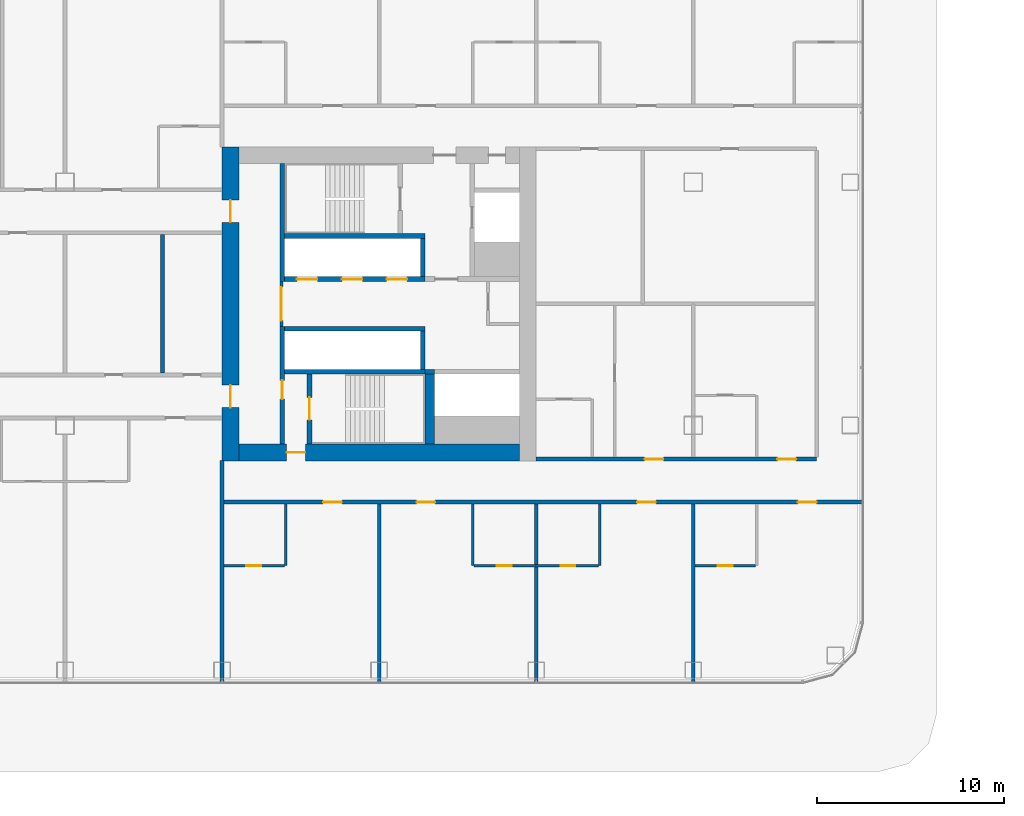
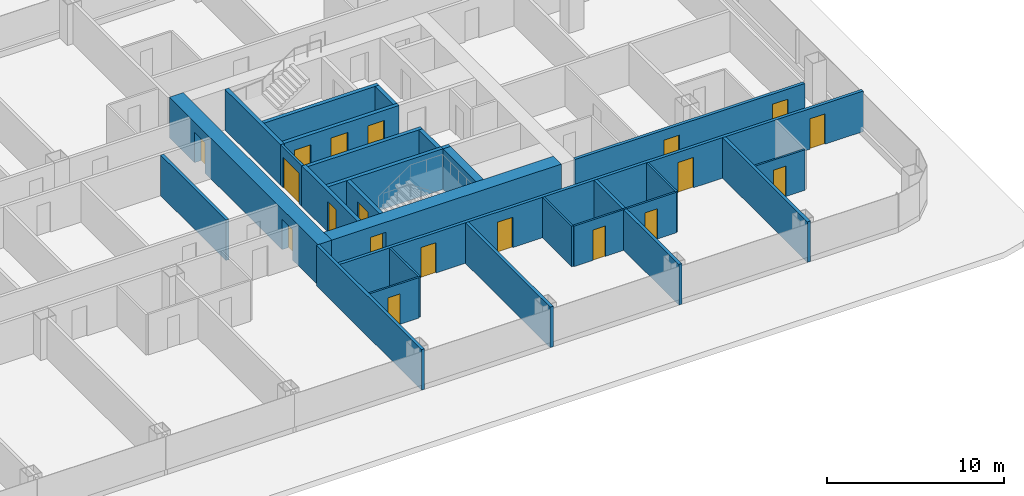
# One storey, part 25 of 42: 27 walls, 19 doors, 19 openings.
"""IFC4 building model written with IfcOpenShell, lengths in metres."""

from ifc_helpers import new_model, si_unit, direction, frame, frame_2d, origin, place, context, subcontext, project, spatial, rectangle, extrude, material, layer, layer_set, type_object, element, fill, save


model = new_model("IFC4")

# Units and contexts
model_context = context("Model", 3, precision=1e-05, world=origin(), true_north=direction((0.0, 1.0)))
body_context = subcontext(model_context, "Body", "Model", "MODEL_VIEW")
ifc_project = project(units=[si_unit("LENGTHUNIT", "METRE"), si_unit("AREAUNIT", "SQUARE_METRE"), si_unit("VOLUMEUNIT", "CUBIC_METRE"), si_unit("PLANEANGLEUNIT", "RADIAN"), si_unit("MASSUNIT", "GRAM", prefix="KILO")], contexts=[model_context])

# Site, building, storey
site_placement = place(None, origin())
site = spatial("IfcSite", under=ifc_project, at=site_placement, CompositionType="ELEMENT")
building_placement = place(site_placement, origin())
building = spatial("IfcBuilding", under=site, at=building_placement, Name="Hakoniwa Tower and Hamabe Station Hall", CompositionType="ELEMENT")
storey_placement = place(building_placement, frame((0.0, 0.0, 19.800048828125)))
storey = spatial("IfcBuildingStorey", under=building, at=storey_placement, Name="L04", CompositionType="ELEMENT", Elevation=19.800048828125)

# Wall, opening, door
ifc_material_1 = material(Name="Gypsum board partition", Category="gypsum")
ifc_layer_1 = layer(ifc_material_1, 0.125)
ifc_layer_set_1 = layer_set([ifc_layer_1], Name="Bathroom Partition 125")
wall_type_1 = type_object("IfcWallType", Name="Bathroom Partition 125", PredefinedType="PARTITIONING", material=ifc_layer_set_1)
wall_1_placement = place(storey_placement, frame((16.89990234375, -14.0, 0.0), z_axis=(0.0, 0.0, 1.0), x_axis=(1.0, 0.0, 0.0)))
wall_1 = element("IfcWall", 1, at=wall_1_placement, inside=storey, type_object=wall_type_1, Name="GW-L04-005", PredefinedType="PARTITIONING", context=body_context, shape_type="SweptSolid", body=[
    extrude(rectangle(XDim=3.237548828125, YDim=0.125, at=frame_2d((1.61865234375, 0.0))), origin(), (0.0, 0.0, 1.0), 2.800048828125),
])
opening_1_placement = place(wall_1_placement, frame((1.199951171875, 0.0, 0.0)))
opening_1 = element("IfcOpeningElement", 2, at=opening_1_placement, cuts=wall_1, Name="Opening GD-G1A0-05", PredefinedType="OPENING", context=body_context, shape_type="SweptSolid", body=[
    extrude(rectangle(XDim=0.800048828125, YDim=2.10009765625, at=frame_2d((0.39990234375, 1.050048828125))), frame((0.0, 0.072509765625, 0.0), z_axis=(0.0, -1.0, 0.0), x_axis=(1.0, 0.0, 0.0)), (0.0, 0.0, 1.0), 0.14501953125),
])
ifc_material_2 = material(Name="Timber door leaf", Category="wood")
door_type_1 = type_object("IfcDoorType", Name="Bathroom Door 800", OperationType="SINGLE_SWING_LEFT", PredefinedType="DOOR", material=ifc_material_2)
door_1_placement = place(opening_1_placement, origin())
door_1 = element("IfcDoor", 3, at=door_1_placement, inside=storey, type_object=door_type_1, Name="Door GD-G1A0-05", OperationType="SINGLE_SWING_LEFT", OverallHeight=2.10009765625, OverallWidth=0.800048828125, PredefinedType="DOOR", context=body_context, shape_type="SweptSolid", body=[
    extrude(rectangle(XDim=0.800048828125, YDim=2.10009765625, at=frame_2d((0.39990234375, 1.050048828125))), frame((0.0, 0.02490234375, 0.0), z_axis=(0.0, -1.0, 0.0), x_axis=(1.0, 0.0, 0.0)), (0.0, 0.0, 1.0), 0.050048828125),
])
fill(opening_1, door_1)

# Wall, openings, doors
wall_2_placement = place(storey_placement, frame((30.262451171875, -14.0, 0.0), z_axis=(0.0, 0.0, 1.0), x_axis=(1.0, 0.0, 0.0)))
wall_2 = element("IfcWall", 4, at=wall_2_placement, inside=storey, type_object=wall_type_1, Name="GW-L04-006", PredefinedType="PARTITIONING", context=body_context, shape_type="SweptSolid", body=[
    extrude(rectangle(XDim=6.675048828125, YDim=0.125, at=frame_2d((3.33740234375, 0.0))), origin(), (0.0, 0.0, 1.0), 2.800048828125),
])
opening_2_placement = place(wall_2_placement, frame((1.237548828125, 0.0, 0.0)))
opening_2 = element("IfcOpeningElement", 5, at=opening_2_placement, cuts=wall_2, Name="Opening GD-G1A0-06", PredefinedType="OPENING", context=body_context, shape_type="SweptSolid", body=[
    extrude(rectangle(XDim=0.800048828125, YDim=2.10009765625, at=frame_2d((0.39990234375, 1.050048828125))), frame((0.0, 0.072509765625, 0.0), z_axis=(0.0, -1.0, 0.0), x_axis=(1.0, 0.0, 0.0)), (0.0, 0.0, 1.0), 0.14501953125),
])
opening_3_placement = place(wall_2_placement, frame((4.637451171875, 0.0, 0.0)))
opening_3 = element("IfcOpeningElement", 6, at=opening_3_placement, cuts=wall_2, Name="Opening GD-G1A0-07", PredefinedType="OPENING", context=body_context, shape_type="SweptSolid", body=[
    extrude(rectangle(XDim=0.800048828125, YDim=2.10009765625, at=frame_2d((0.39990234375, 1.050048828125))), frame((0.0, 0.072509765625, 0.0), z_axis=(0.0, -1.0, 0.0), x_axis=(1.0, 0.0, 0.0)), (0.0, 0.0, 1.0), 0.14501953125),
])
door_2_placement = place(opening_2_placement, origin())
door_2 = element("IfcDoor", 7, at=door_2_placement, inside=storey, type_object=door_type_1, Name="Door GD-G1A0-06", OperationType="SINGLE_SWING_RIGHT", OverallHeight=2.10009765625, OverallWidth=0.800048828125, PredefinedType="DOOR", context=body_context, shape_type="SweptSolid", body=[
    extrude(rectangle(XDim=0.800048828125, YDim=2.10009765625, at=frame_2d((0.39990234375, 1.050048828125))), frame((0.0, 0.02490234375, 0.0), z_axis=(0.0, -1.0, 0.0), x_axis=(1.0, 0.0, 0.0)), (0.0, 0.0, 1.0), 0.050048828125),
])
fill(opening_2, door_2)
door_3_placement = place(opening_3_placement, origin())
door_3 = element("IfcDoor", 8, at=door_3_placement, inside=storey, type_object=door_type_1, Name="Door GD-G1A0-07", OperationType="SINGLE_SWING_LEFT", OverallHeight=2.10009765625, OverallWidth=0.800048828125, PredefinedType="DOOR", context=body_context, shape_type="SweptSolid", body=[
    extrude(rectangle(XDim=0.800048828125, YDim=2.10009765625, at=frame_2d((0.39990234375, 1.050048828125))), frame((0.0, 0.02490234375, 0.0), z_axis=(0.0, -1.0, 0.0), x_axis=(1.0, 0.0, 0.0)), (0.0, 0.0, 1.0), 0.050048828125),
])
fill(opening_3, door_3)

# Wall, opening, door
wall_3_placement = place(storey_placement, frame((42.10009765625, -14.0, 0.0), z_axis=(0.0, 0.0, 1.0), x_axis=(1.0, 0.0, 0.0)))
wall_3 = element("IfcWall", 9, at=wall_3_placement, inside=storey, type_object=wall_type_1, Name="GW-L04-007", PredefinedType="PARTITIONING", context=body_context, shape_type="SweptSolid", body=[
    extrude(rectangle(XDim=3.2373046875, YDim=0.125, at=frame_2d((1.61865234375, 0.0))), origin(), (0.0, 0.0, 1.0), 2.800048828125),
])
opening_4_placement = place(wall_3_placement, frame((1.199951171875, 0.0, 0.0)))
opening_4 = element("IfcOpeningElement", 10, at=opening_4_placement, cuts=wall_3, Name="Opening GD-G1A0-08", PredefinedType="OPENING", context=body_context, shape_type="SweptSolid", body=[
    extrude(rectangle(XDim=0.800048828125, YDim=2.10009765625, at=frame_2d((0.39990234375, 1.050048828125))), frame((0.0, 0.072509765625, 0.0), z_axis=(0.0, -1.0, 0.0), x_axis=(1.0, 0.0, 0.0)), (0.0, 0.0, 1.0), 0.14501953125),
])
door_4_placement = place(opening_4_placement, origin())
door_4 = element("IfcDoor", 11, at=door_4_placement, inside=storey, type_object=door_type_1, Name="Door GD-G1A0-08", OperationType="SINGLE_SWING_RIGHT", OverallHeight=2.10009765625, OverallWidth=0.800048828125, PredefinedType="DOOR", context=body_context, shape_type="SweptSolid", body=[
    extrude(rectangle(XDim=0.800048828125, YDim=2.10009765625, at=frame_2d((0.39990234375, 1.050048828125))), frame((0.0, 0.02490234375, 0.0), z_axis=(0.0, -1.0, 0.0), x_axis=(1.0, 0.0, 0.0)), (0.0, 0.0, 1.0), 0.050048828125),
])
fill(opening_4, door_4)

# Walls
for number, where, z_axis, x_axis, name in (
    (12, (20.199951171875, -14.0, 0.0), (0.0, 0.0, 1.0), (0.0, 1.0, 0.0), "GW-L04-079"),
    (13, (30.199951171875, -14.0, 0.0), (0.0, 0.0, 1.0), (0.0, 1.0, 0.0), "GW-L04-083"),
    (14, (37.0, -14.0, 0.0), (0.0, 0.0, 1.0), (0.0, 1.0, 0.0), "GW-L04-088"),
):
    element("IfcWall", number, at=place(storey_placement, frame(where, z_axis=z_axis, x_axis=x_axis)), inside=storey, type_object=wall_type_1, Name=name, PredefinedType="PARTITIONING", context=body_context, shape_type="SweptSolid", body=[
        extrude(rectangle(XDim=3.300048828125, YDim=0.125, at=frame_2d((1.64990234375, 0.0))), origin(), (0.0, 0.0, 1.0), 2.800048828125),
    ])

# Wall, opening, door
ifc_material_3 = material(Name="Gypsum board partition")
ifc_layer_2 = layer(ifc_material_3, 0.14990234375)
ifc_layer_set_2 = layer_set([ifc_layer_2], Name="CORE PARTITION 150 EI 60")
wall_type_2 = type_object("IfcWallType", Name="CORE PARTITION 150 EI 60", PredefinedType="PARTITIONING", material=ifc_layer_set_2)
wall_4_placement = place(storey_placement, frame((19.97509765625, -1.199951171875, 0.0), z_axis=(0.0, 0.0, 1.0), x_axis=(0.0, 1.0, 0.0)))
wall_4 = element("IfcWall", 15, at=wall_4_placement, inside=storey, type_object=wall_type_2, Name="Core partition PL0 east", PredefinedType="PARTITIONING", context=body_context, shape_type="SweptSolid", body=[
    extrude(rectangle(XDim=2.39990234375, YDim=0.14990234375, at=frame_2d((1.199951171875, 0.0))), origin(), (0.0, 0.0, 1.0), 2.800048828125),
])
opening_5_placement = place(wall_4_placement, frame((0.300048828125, 0.0, 0.0)))
opening_5 = element("IfcOpeningElement", 16, at=opening_5_placement, cuts=wall_4, Name="Opening CD-E-LP0-18", PredefinedType="OPENING", context=body_context, shape_type="SweptSolid", body=[
    extrude(rectangle(XDim=1.800048828125, YDim=2.10009765625, at=frame_2d((0.89990234375, 1.050048828125))), frame((0.0, 0.0849609375, 0.0), z_axis=(0.0, -1.0, 0.0), x_axis=(1.0, 0.0, 0.0)), (0.0, 0.0, 1.0), 0.169921875),
])
ifc_material_4 = material(Name="Steel fire door", Category="steel")
door_type_2 = type_object("IfcDoorType", Name="CORE DOOR 1800 FD60", OperationType="DOUBLE_DOOR_SINGLE_SWING", PredefinedType="DOOR", material=ifc_material_4)
door_5_placement = place(opening_5_placement, origin())
door_5 = element("IfcDoor", 17, at=door_5_placement, inside=storey, type_object=door_type_2, Name="Lift lobby partition door", OperationType="DOUBLE_DOOR_SINGLE_SWING", OverallHeight=2.10009765625, OverallWidth=1.800048828125, PredefinedType="DOOR", context=body_context, shape_type="SweptSolid", body=[
    extrude(rectangle(XDim=1.800048828125, YDim=2.10009765625, at=frame_2d((0.89990234375, 1.050048828125))), frame((0.0, 0.02490234375, 0.0), z_axis=(0.0, -1.0, 0.0), x_axis=(1.0, 0.0, 0.0)), (0.0, 0.0, 1.0), 0.050048828125),
])
fill(opening_5, door_5)

# Wall, openings, doors
ifc_material_5 = material(Name="Concrete C80", Category="concrete")
ifc_layer_3 = layer(ifc_material_5, 0.89990234375)
ifc_layer_set_3 = layer_set([ifc_layer_3], Name="CORE WALL 900 C80")
wall_type_3 = type_object("IfcWallType", Name="CORE WALL 900 C80", PredefinedType="SHEAR", material=ifc_layer_set_3)
wall_5_placement = place(storey_placement, frame((17.25, -8.39990234375, 0.0), z_axis=(0.0, 0.0, 1.0), x_axis=(0.0, 1.0, 0.0)))
wall_5 = element("IfcWall", 18, at=wall_5_placement, inside=storey, type_object=wall_type_3, Name="Core wall INNER east", PredefinedType="SHEAR", context=body_context, shape_type="SweptSolid", body=[
    extrude(rectangle(XDim=16.7998046875, YDim=0.89990234375, at=frame_2d((8.39990234375, 0.0))), origin(), (0.0, 0.0, 1.0), 2.800048828125),
])
opening_6_placement = place(wall_5_placement, frame((12.75, 0.0, 0.0)))
opening_6 = element("IfcOpeningElement", 19, at=opening_6_placement, cuts=wall_5, Name="Opening CD-E-IN1-12", PredefinedType="OPENING", context=body_context, shape_type="SweptSolid", body=[
    extrude(rectangle(XDim=1.199951171875, YDim=2.10009765625, at=frame_2d((0.60009765625, 1.050048828125))), frame((0.0, 0.4599609375, 0.0), z_axis=(0.0, -1.0, 0.0), x_axis=(1.0, 0.0, 0.0)), (0.0, 0.0, 1.0), 0.919921875),
])
opening_7_placement = place(wall_5_placement, frame((2.85009765625, 0.0, 0.0)))
opening_7 = element("IfcOpeningElement", 20, at=opening_7_placement, cuts=wall_5, Name="Opening CD-E-IN2-12", PredefinedType="OPENING", context=body_context, shape_type="SweptSolid", body=[
    extrude(rectangle(XDim=1.199951171875, YDim=2.10009765625, at=frame_2d((0.60009765625, 1.050048828125))), frame((0.0, 0.4599609375, 0.0), z_axis=(0.0, -1.0, 0.0), x_axis=(1.0, 0.0, 0.0)), (0.0, 0.0, 1.0), 0.919921875),
])
ifc_material_6 = material(Name="Steel fire door", Category="steel")
door_type_3 = type_object("IfcDoorType", Name="CORE DOOR 1200 FD60", OperationType="DOUBLE_DOOR_SINGLE_SWING", PredefinedType="DOOR", material=ifc_material_6)
door_6_placement = place(opening_6_placement, origin())
door_6 = element("IfcDoor", 21, at=door_6_placement, inside=storey, type_object=door_type_3, Name="Lift lobby door", OperationType="DOUBLE_DOOR_SINGLE_SWING", OverallHeight=2.10009765625, OverallWidth=1.199951171875, PredefinedType="DOOR", context=body_context, shape_type="SweptSolid", body=[
    extrude(rectangle(XDim=1.199951171875, YDim=2.10009765625, at=frame_2d((0.60009765625, 1.050048828125))), frame((0.0, 0.02490234375, 0.0), z_axis=(0.0, -1.0, 0.0), x_axis=(1.0, 0.0, 0.0)), (0.0, 0.0, 1.0), 0.050048828125),
])
fill(opening_6, door_6)
door_7_placement = place(opening_7_placement, origin())
door_7 = element("IfcDoor", 22, at=door_7_placement, inside=storey, type_object=door_type_3, Name="Lift lobby door", OperationType="DOUBLE_DOOR_SINGLE_SWING", OverallHeight=2.10009765625, OverallWidth=1.199951171875, PredefinedType="DOOR", context=body_context, shape_type="SweptSolid", body=[
    extrude(rectangle(XDim=1.199951171875, YDim=2.10009765625, at=frame_2d((0.60009765625, 1.050048828125))), frame((0.0, 0.02490234375, 0.0), z_axis=(0.0, -1.0, 0.0), x_axis=(1.0, 0.0, 0.0)), (0.0, 0.0, 1.0), 0.050048828125),
])
fill(opening_7, door_7)

# Wall, opening, door
wall_6_placement = place(storey_placement, frame((17.699951171875, -7.949951171875, 0.0), z_axis=(0.0, 0.0, 1.0), x_axis=(1.0, 0.0, 0.0)))
wall_6 = element("IfcWall", 23, at=wall_6_placement, inside=storey, type_object=wall_type_3, Name="Core wall SOUTH east", PredefinedType="SHEAR", context=body_context, shape_type="SweptSolid", body=[
    extrude(rectangle(XDim=15.0, YDim=0.89990234375, at=frame_2d((7.5, 0.0))), origin(), (0.0, 0.0, 1.0), 2.800048828125),
])
opening_8_placement = place(wall_6_placement, frame((2.550048828125, 0.0, 0.0)))
opening_8 = element("IfcOpeningElement", 24, at=opening_8_placement, cuts=wall_6, Name="Opening CD-E-FS3-10", PredefinedType="OPENING", context=body_context, shape_type="SweptSolid", body=[
    extrude(rectangle(XDim=1.0, YDim=2.10009765625, at=frame_2d((0.5, 1.050048828125))), frame((0.0, 0.4599609375, 0.0), z_axis=(0.0, -1.0, 0.0), x_axis=(1.0, 0.0, 0.0)), (0.0, 0.0, 1.0), 0.919921875),
])
ifc_material_7 = material(Name="Steel fire door", Category="steel")
door_type_4 = type_object("IfcDoorType", Name="CORE DOOR 1000 FD60", OperationType="NOTDEFINED", PredefinedType="DOOR", material=ifc_material_7)
door_8_placement = place(opening_8_placement, origin())
door_8 = element("IfcDoor", 25, at=door_8_placement, inside=storey, type_object=door_type_4, Name="Stair vestibule door", OperationType="SINGLE_SWING_LEFT", OverallHeight=2.10009765625, OverallWidth=1.0, PredefinedType="DOOR", context=body_context, shape_type="SweptSolid", body=[
    extrude(rectangle(XDim=1.0, YDim=2.10009765625, at=frame_2d((0.5, 1.050048828125))), frame((0.0, 0.02490234375, 0.0), z_axis=(0.0, -1.0, 0.0), x_axis=(1.0, 0.0, 0.0)), (0.0, 0.0, 1.0), 0.050048828125),
])
fill(opening_8, door_8)

# Wall
ifc_material_8 = material(Name="Concrete C80", Category="concrete")
ifc_layer_4 = layer(ifc_material_8, 0.25)
ifc_layer_set_4 = layer_set([ifc_layer_4], Name="CORE WEB WALL 250 C80")
wall_type_4 = type_object("IfcWallType", Name="CORE WEB WALL 250 C80", PredefinedType="SHEAR", material=ifc_layer_set_4)
wall_7_placement = place(storey_placement, frame((20.02490234375, 1.199951171875, 0.0), z_axis=(0.0, 0.0, 1.0), x_axis=(0.0, 1.0, 0.0)))
element("IfcWall", 26, at=wall_7_placement, inside=storey, type_object=wall_type_4, Name="Core wall W1N east", PredefinedType="SHEAR", context=body_context, shape_type="SweptSolid", body=[
    extrude(rectangle(XDim=6.300048828125, YDim=0.25, at=frame_2d((3.14990234375, 0.0))), origin(), (0.0, 0.0, 1.0), 2.800048828125),
])

# Wall, opening, door
wall_8_placement = place(storey_placement, frame((20.02490234375, -7.5, 0.0), z_axis=(0.0, 0.0, 1.0), x_axis=(0.0, 1.0, 0.0)))
wall_8 = element("IfcWall", 27, at=wall_8_placement, inside=storey, type_object=wall_type_4, Name="Core wall W1S east", PredefinedType="SHEAR", context=body_context, shape_type="SweptSolid", body=[
    extrude(rectangle(XDim=6.300048828125, YDim=0.25, at=frame_2d((3.14990234375, 0.0))), origin(), (0.0, 0.0, 1.0), 2.800048828125),
])
opening_9_placement = place(wall_8_placement, frame((2.39990234375, 0.0, 0.0)))
opening_9 = element("IfcOpeningElement", 28, at=opening_9_placement, cuts=wall_8, Name="Opening CD-E-VS-10", PredefinedType="OPENING", context=body_context, shape_type="SweptSolid", body=[
    extrude(rectangle(XDim=1.0, YDim=2.10009765625, at=frame_2d((0.5, 1.050048828125))), frame((0.0, 0.135009765625, 0.0), z_axis=(0.0, -1.0, 0.0), x_axis=(1.0, 0.0, 0.0)), (0.0, 0.0, 1.0), 0.27001953125),
])
door_9_placement = place(opening_9_placement, origin())
door_9 = element("IfcDoor", 29, at=door_9_placement, inside=storey, type_object=door_type_4, Name="Stair vestibule door", OperationType="SINGLE_SWING_RIGHT", OverallHeight=2.10009765625, OverallWidth=1.0, PredefinedType="DOOR", context=body_context, shape_type="SweptSolid", body=[
    extrude(rectangle(XDim=1.0, YDim=2.10009765625, at=frame_2d((0.5, 1.050048828125))), frame((0.0, 0.02490234375, 0.0), z_axis=(0.0, -1.0, 0.0), x_axis=(1.0, 0.0, 0.0)), (0.0, 0.0, 1.0), 0.050048828125),
])
fill(opening_9, door_9)

# Wall, openings, doors
wall_9_placement = place(storey_placement, frame((20.14990234375, 1.324951171875, 0.0), z_axis=(0.0, 0.0, 1.0), x_axis=(1.0, 0.0, 0.0)))
wall_9 = element("IfcWall", 30, at=wall_9_placement, inside=storey, type_object=wall_type_4, Name="Core wall NF east", PredefinedType="SHEAR", context=body_context, shape_type="SweptSolid", body=[
    extrude(rectangle(XDim=7.5, YDim=0.25, at=frame_2d((3.75, 0.0))), origin(), (0.0, 0.0, 1.0), 2.800048828125),
])
opening_10_placement = place(wall_9_placement, frame((0.64990234375, 0.0, 0.0)))
opening_10 = element("IfcOpeningElement", 31, at=opening_10_placement, cuts=wall_9, Name="Opening LD-LR4", PredefinedType="OPENING", context=body_context, shape_type="SweptSolid", body=[
    extrude(rectangle(XDim=1.10009765625, YDim=2.10009765625, at=frame_2d((0.550048828125, 1.050048828125))), frame((0.0, 0.135009765625, 0.0), z_axis=(0.0, -1.0, 0.0), x_axis=(1.0, 0.0, 0.0)), (0.0, 0.0, 1.0), 0.27001953125),
])
opening_11_placement = place(wall_9_placement, frame((3.050048828125, 0.0, 0.0)))
opening_11 = element("IfcOpeningElement", 32, at=opening_11_placement, cuts=wall_9, Name="Opening LD-LR5", PredefinedType="OPENING", context=body_context, shape_type="SweptSolid", body=[
    extrude(rectangle(XDim=1.10009765625, YDim=2.10009765625, at=frame_2d((0.550048828125, 1.050048828125))), frame((0.0, 0.135009765625, 0.0), z_axis=(0.0, -1.0, 0.0), x_axis=(1.0, 0.0, 0.0)), (0.0, 0.0, 1.0), 0.27001953125),
])
opening_12_placement = place(wall_9_placement, frame((5.449951171875, 0.0, 0.0)))
opening_12 = element("IfcOpeningElement", 33, at=opening_12_placement, cuts=wall_9, Name="Opening LD-LR6", PredefinedType="OPENING", context=body_context, shape_type="SweptSolid", body=[
    extrude(rectangle(XDim=1.10009765625, YDim=2.10009765625, at=frame_2d((0.550048828125, 1.050048828125))), frame((0.0, 0.135009765625, 0.0), z_axis=(0.0, -1.0, 0.0), x_axis=(1.0, 0.0, 0.0)), (0.0, 0.0, 1.0), 0.27001953125),
])
ifc_material_9 = material(Name="Stainless steel SUS304", Category="steel")
door_type_5 = type_object("IfcDoorType", Name="LIFT LANDING DOOR 1100 FD60", OperationType="DOUBLE_DOOR_SLIDING", PredefinedType="DOOR", material=ifc_material_9)
door_10_placement = place(opening_10_placement, origin())
door_10 = element("IfcDoor", 34, at=door_10_placement, inside=storey, type_object=door_type_5, Name="Lift landing door LR4 L04", OperationType="DOUBLE_DOOR_SLIDING", OverallHeight=2.10009765625, OverallWidth=1.10009765625, PredefinedType="DOOR", context=body_context, shape_type="SweptSolid", body=[
    extrude(rectangle(XDim=1.10009765625, YDim=2.10009765625, at=frame_2d((0.550048828125, 1.050048828125))), frame((0.0, 0.02490234375, 0.0), z_axis=(0.0, -1.0, 0.0), x_axis=(1.0, 0.0, 0.0)), (0.0, 0.0, 1.0), 0.050048828125),
])
fill(opening_10, door_10)
door_11_placement = place(opening_11_placement, origin())
door_11 = element("IfcDoor", 35, at=door_11_placement, inside=storey, type_object=door_type_5, Name="Lift landing door LR5 L04", OperationType="DOUBLE_DOOR_SLIDING", OverallHeight=2.10009765625, OverallWidth=1.10009765625, PredefinedType="DOOR", context=body_context, shape_type="SweptSolid", body=[
    extrude(rectangle(XDim=1.10009765625, YDim=2.10009765625, at=frame_2d((0.550048828125, 1.050048828125))), frame((0.0, 0.02490234375, 0.0), z_axis=(0.0, -1.0, 0.0), x_axis=(1.0, 0.0, 0.0)), (0.0, 0.0, 1.0), 0.050048828125),
])
fill(opening_11, door_11)
door_12_placement = place(opening_12_placement, origin())
door_12 = element("IfcDoor", 36, at=door_12_placement, inside=storey, type_object=door_type_5, Name="Lift landing door LR6 L04", OperationType="DOUBLE_DOOR_SLIDING", OverallHeight=2.10009765625, OverallWidth=1.10009765625, PredefinedType="DOOR", context=body_context, shape_type="SweptSolid", body=[
    extrude(rectangle(XDim=1.10009765625, YDim=2.10009765625, at=frame_2d((0.550048828125, 1.050048828125))), frame((0.0, 0.02490234375, 0.0), z_axis=(0.0, -1.0, 0.0), x_axis=(1.0, 0.0, 0.0)), (0.0, 0.0, 1.0), 0.050048828125),
])
fill(opening_12, door_12)

# Walls
wall_10_placement = place(storey_placement, frame((27.52490234375, 1.449951171875, 0.0), z_axis=(0.0, 0.0, 1.0), x_axis=(0.0, 1.0, 0.0)))
element("IfcWall", 37, at=wall_10_placement, inside=storey, type_object=wall_type_4, Name="Core wall NE east", PredefinedType="SHEAR", context=body_context, shape_type="SweptSolid", body=[
    extrude(rectangle(XDim=2.050048828125, YDim=0.25, at=frame_2d((1.02490234375, 0.0))), origin(), (0.0, 0.0, 1.0), 2.800048828125),
])
for number, where, z_axis, x_axis, name in (
    (38, (20.14990234375, 3.625, 0.0), (0.0, 0.0, 1.0), (1.0, 0.0, 0.0), "Core wall NR east"),
    (39, (20.14990234375, -1.324951171875, 0.0), (0.0, 0.0, 1.0), (1.0, 0.0, 0.0), "Core wall SF east"),
):
    element("IfcWall", number, at=place(storey_placement, frame(where, z_axis=z_axis, x_axis=x_axis)), inside=storey, type_object=wall_type_4, Name=name, PredefinedType="SHEAR", context=body_context, shape_type="SweptSolid", body=[
        extrude(rectangle(XDim=7.5, YDim=0.25, at=frame_2d((3.75, 0.0))), origin(), (0.0, 0.0, 1.0), 2.800048828125),
    ])
wall_11_placement = place(storey_placement, frame((27.52490234375, -3.5, 0.0), z_axis=(0.0, 0.0, 1.0), x_axis=(0.0, 1.0, 0.0)))
element("IfcWall", 40, at=wall_11_placement, inside=storey, type_object=wall_type_4, Name="Core wall SE east", PredefinedType="SHEAR", context=body_context, shape_type="SweptSolid", body=[
    extrude(rectangle(XDim=2.050048828125, YDim=0.25, at=frame_2d((1.02490234375, 0.0))), origin(), (0.0, 0.0, 1.0), 2.800048828125),
])
wall_12_placement = place(storey_placement, frame((20.14990234375, -3.625, 0.0), z_axis=(0.0, 0.0, 1.0), x_axis=(1.0, 0.0, 0.0)))
element("IfcWall", 41, at=wall_12_placement, inside=storey, type_object=wall_type_4, Name="Core wall SR east", PredefinedType="SHEAR", context=body_context, shape_type="SweptSolid", body=[
    extrude(rectangle(XDim=7.5, YDim=0.25, at=frame_2d((3.75, 0.0))), origin(), (0.0, 0.0, 1.0), 2.800048828125),
])

# Wall, opening, door
wall_13_placement = place(storey_placement, frame((21.47509765625, -7.5, 0.0), z_axis=(0.0, 0.0, 1.0), x_axis=(0.0, 1.0, 0.0)))
wall_13 = element("IfcWall", 42, at=wall_13_placement, inside=storey, type_object=wall_type_4, Name="Core wall VE east", PredefinedType="SHEAR", context=body_context, shape_type="SweptSolid", body=[
    extrude(rectangle(XDim=3.75, YDim=0.25, at=frame_2d((1.875, 0.0))), origin(), (0.0, 0.0, 1.0), 2.800048828125),
])
opening_13_placement = place(wall_13_placement, frame((1.300048828125, 0.0, 0.0)))
opening_13 = element("IfcOpeningElement", 43, at=opening_13_placement, cuts=wall_13, Name="Opening CD-E-SS-12", PredefinedType="OPENING", context=body_context, shape_type="SweptSolid", body=[
    extrude(rectangle(XDim=1.199951171875, YDim=2.10009765625, at=frame_2d((0.60009765625, 1.050048828125))), frame((0.0, 0.135009765625, 0.0), z_axis=(0.0, -1.0, 0.0), x_axis=(1.0, 0.0, 0.0)), (0.0, 0.0, 1.0), 0.27001953125),
])
door_13_placement = place(opening_13_placement, origin())
door_13 = element("IfcDoor", 44, at=door_13_placement, inside=storey, type_object=door_type_3, Name="Escape stair door", OperationType="DOUBLE_DOOR_SINGLE_SWING", OverallHeight=2.10009765625, OverallWidth=1.199951171875, PredefinedType="DOOR", context=body_context, shape_type="SweptSolid", body=[
    extrude(rectangle(XDim=1.199951171875, YDim=2.10009765625, at=frame_2d((0.60009765625, 1.050048828125))), frame((0.0, 0.02490234375, 0.0), z_axis=(0.0, -1.0, 0.0), x_axis=(1.0, 0.0, 0.0)), (0.0, 0.0, 1.0), 0.050048828125),
])
fill(opening_13, door_13)

# Walls
wall_14_placement = place(storey_placement, frame((27.64990234375, -3.625, 0.0), z_axis=(0.0, 0.0, 1.0), x_axis=(1.0, 0.0, 0.0)))
element("IfcWall", 45, at=wall_14_placement, inside=storey, type_object=wall_type_4, Name="Core wall SRK east", PredefinedType="SHEAR", context=body_context, shape_type="SweptSolid", body=[
    extrude(rectangle(XDim=0.5, YDim=0.25, at=frame_2d((0.25, 0.0))), origin(), (0.0, 0.0, 1.0), 2.800048828125),
])
ifc_material_10 = material(Name="Concrete C80", Category="concrete")
ifc_layer_5 = layer(ifc_material_10, 0.5)
ifc_layer_set_5 = layer_set([ifc_layer_5], Name="CORE WEB WALL 500 C80")
wall_type_5 = type_object("IfcWallType", Name="CORE WEB WALL 500 C80", PredefinedType="SHEAR", material=ifc_layer_set_5)
wall_15_placement = place(storey_placement, frame((27.89990234375, -7.5, 0.0), z_axis=(0.0, 0.0, 1.0), x_axis=(0.0, 1.0, 0.0)))
element("IfcWall", 46, at=wall_15_placement, inside=storey, type_object=wall_type_5, Name="Core wall SSE east", PredefinedType="SHEAR", context=body_context, shape_type="SweptSolid", body=[
    extrude(rectangle(XDim=3.75, YDim=0.5, at=frame_2d((1.875, 0.0))), origin(), (0.0, 0.0, 1.0), 2.800048828125),
])

# Wall, openings, doors
ifc_material_11 = material(Name="Fire-rated gypsum board partition", Category="gypsum")
ifc_layer_6 = layer(ifc_material_11, 0.199951171875)
ifc_layer_set_6 = layer_set([ifc_layer_6], Name="Corridor Wall 200")
wall_type_6 = type_object("IfcWallType", Name="Corridor Wall 200", PredefinedType="PARTITIONING", material=ifc_layer_set_6)
wall_16_placement = place(storey_placement, frame((16.800048828125, -10.60009765625, 0.0), z_axis=(0.0, 0.0, 1.0), x_axis=(1.0, 0.0, 0.0)))
wall_16 = element("IfcWall", 47, at=wall_16_placement, inside=storey, type_object=wall_type_6, Name="GW-L04-009", PredefinedType="PARTITIONING", context=body_context, shape_type="SweptSolid", body=[
    extrude(rectangle(XDim=34.300048828125, YDim=0.199951171875, at=frame_2d((17.14990234375, 0.0))), origin(), (0.0, 0.0, 1.0), 2.800048828125),
])
opening_14_placement = place(wall_16_placement, frame((5.39990234375, 0.0, 0.0)))
opening_14 = element("IfcOpeningElement", 48, at=opening_14_placement, cuts=wall_16, Name="Opening GD-G1A0-13", PredefinedType="OPENING", context=body_context, shape_type="SweptSolid", body=[
    extrude(rectangle(XDim=1.0, YDim=2.10009765625, at=frame_2d((0.5, 1.050048828125))), frame((0.0, 0.10986328125, 0.0), z_axis=(0.0, -1.0, 0.0), x_axis=(1.0, 0.0, 0.0)), (0.0, 0.0, 1.0), 0.219970703125),
])
opening_15_placement = place(wall_16_placement, frame((10.39990234375, 0.0, 0.0)))
opening_15 = element("IfcOpeningElement", 49, at=opening_15_placement, cuts=wall_16, Name="Opening GD-G1A0-14", PredefinedType="OPENING", context=body_context, shape_type="SweptSolid", body=[
    extrude(rectangle(XDim=1.0, YDim=2.10009765625, at=frame_2d((0.5, 1.050048828125))), frame((0.0, 0.10986328125, 0.0), z_axis=(0.0, -1.0, 0.0), x_axis=(1.0, 0.0, 0.0)), (0.0, 0.0, 1.0), 0.219970703125),
])
opening_16_placement = place(wall_16_placement, frame((22.199951171875, 0.0, 0.0)))
opening_16 = element("IfcOpeningElement", 50, at=opening_16_placement, cuts=wall_16, Name="Opening GD-G1A0-15", PredefinedType="OPENING", context=body_context, shape_type="SweptSolid", body=[
    extrude(rectangle(XDim=1.0, YDim=2.10009765625, at=frame_2d((0.5, 1.050048828125))), frame((0.0, 0.10986328125, 0.0), z_axis=(0.0, -1.0, 0.0), x_axis=(1.0, 0.0, 0.0)), (0.0, 0.0, 1.0), 0.219970703125),
])
opening_17_placement = place(wall_16_placement, frame((30.800048828125, 0.0, 0.0)))
opening_17 = element("IfcOpeningElement", 51, at=opening_17_placement, cuts=wall_16, Name="Opening GD-G1A0-16", PredefinedType="OPENING", context=body_context, shape_type="SweptSolid", body=[
    extrude(rectangle(XDim=1.0, YDim=2.10009765625, at=frame_2d((0.5, 1.050048828125))), frame((0.0, 0.10986328125, 0.0), z_axis=(0.0, -1.0, 0.0), x_axis=(1.0, 0.0, 0.0)), (0.0, 0.0, 1.0), 0.219970703125),
])
ifc_material_12 = material(Name="Timber door leaf", Category="wood")
door_type_6 = type_object("IfcDoorType", Name="Guest Entrance Door 1000", OperationType="SINGLE_SWING_LEFT", PredefinedType="DOOR", material=ifc_material_12)
door_14_placement = place(opening_14_placement, origin())
door_14 = element("IfcDoor", 52, at=door_14_placement, inside=storey, type_object=door_type_6, Name="Door GD-G1A0-13", OperationType="SINGLE_SWING_LEFT", OverallHeight=2.10009765625, OverallWidth=1.0, PredefinedType="DOOR", context=body_context, shape_type="SweptSolid", body=[
    extrude(rectangle(XDim=1.0, YDim=2.10009765625, at=frame_2d((0.5, 1.050048828125))), frame((0.0, 0.02490234375, 0.0), z_axis=(0.0, -1.0, 0.0), x_axis=(1.0, 0.0, 0.0)), (0.0, 0.0, 1.0), 0.050048828125),
])
fill(opening_14, door_14)
door_15_placement = place(opening_15_placement, origin())
door_15 = element("IfcDoor", 53, at=door_15_placement, inside=storey, type_object=door_type_6, Name="Door GD-G1A0-14", OperationType="SINGLE_SWING_RIGHT", OverallHeight=2.10009765625, OverallWidth=1.0, PredefinedType="DOOR", context=body_context, shape_type="SweptSolid", body=[
    extrude(rectangle(XDim=1.0, YDim=2.10009765625, at=frame_2d((0.5, 1.050048828125))), frame((0.0, 0.02490234375, 0.0), z_axis=(0.0, -1.0, 0.0), x_axis=(1.0, 0.0, 0.0)), (0.0, 0.0, 1.0), 0.050048828125),
])
fill(opening_15, door_15)
door_16_placement = place(opening_16_placement, origin())
door_16 = element("IfcDoor", 54, at=door_16_placement, inside=storey, type_object=door_type_6, Name="Door GD-G1A0-15", OperationType="SINGLE_SWING_LEFT", OverallHeight=2.10009765625, OverallWidth=1.0, PredefinedType="DOOR", context=body_context, shape_type="SweptSolid", body=[
    extrude(rectangle(XDim=1.0, YDim=2.10009765625, at=frame_2d((0.5, 1.050048828125))), frame((0.0, 0.02490234375, 0.0), z_axis=(0.0, -1.0, 0.0), x_axis=(1.0, 0.0, 0.0)), (0.0, 0.0, 1.0), 0.050048828125),
])
fill(opening_16, door_16)
door_17_placement = place(opening_17_placement, origin())
door_17 = element("IfcDoor", 55, at=door_17_placement, inside=storey, type_object=door_type_6, Name="Door GD-G1A0-16", OperationType="SINGLE_SWING_RIGHT", OverallHeight=2.10009765625, OverallWidth=1.0, PredefinedType="DOOR", context=body_context, shape_type="SweptSolid", body=[
    extrude(rectangle(XDim=1.0, YDim=2.10009765625, at=frame_2d((0.5, 1.050048828125))), frame((0.0, 0.02490234375, 0.0), z_axis=(0.0, -1.0, 0.0), x_axis=(1.0, 0.0, 0.0)), (0.0, 0.0, 1.0), 0.050048828125),
])
fill(opening_17, door_17)

wall_17_placement = place(storey_placement, frame((33.60009765625, -8.300048828125, 0.0), z_axis=(0.0, 0.0, 1.0), x_axis=(1.0, 0.0, 0.0)))
wall_17 = element("IfcWall", 56, at=wall_17_placement, inside=storey, type_object=wall_type_6, Name="GW-L04-013", PredefinedType="PARTITIONING", context=body_context, shape_type="SweptSolid", body=[
    extrude(rectangle(XDim=15.0, YDim=0.199951171875, at=frame_2d((7.5, 0.0))), origin(), (0.0, 0.0, 1.0), 2.800048828125),
])
opening_18_placement = place(wall_17_placement, frame((5.800048828125, 0.0, 0.0)))
opening_18 = element("IfcOpeningElement", 57, at=opening_18_placement, cuts=wall_17, Name="Opening GD-G1A0-23", PredefinedType="OPENING", context=body_context, shape_type="SweptSolid", body=[
    extrude(rectangle(XDim=1.0, YDim=2.10009765625, at=frame_2d((0.5, 1.050048828125))), frame((0.0, 0.10986328125, 0.0), z_axis=(0.0, -1.0, 0.0), x_axis=(1.0, 0.0, 0.0)), (0.0, 0.0, 1.0), 0.219970703125),
])
opening_19_placement = place(wall_17_placement, frame((12.89990234375, 0.0, 0.0)))
opening_19 = element("IfcOpeningElement", 58, at=opening_19_placement, cuts=wall_17, Name="Opening GD-G1A0-24", PredefinedType="OPENING", context=body_context, shape_type="SweptSolid", body=[
    extrude(rectangle(XDim=1.0, YDim=2.10009765625, at=frame_2d((0.5, 1.050048828125))), frame((0.0, 0.10986328125, 0.0), z_axis=(0.0, -1.0, 0.0), x_axis=(1.0, 0.0, 0.0)), (0.0, 0.0, 1.0), 0.219970703125),
])
door_18_placement = place(opening_18_placement, origin())
door_18 = element("IfcDoor", 59, at=door_18_placement, inside=storey, type_object=door_type_6, Name="Door GD-G1A0-23", OperationType="SINGLE_SWING_RIGHT", OverallHeight=2.10009765625, OverallWidth=1.0, PredefinedType="DOOR", context=body_context, shape_type="SweptSolid", body=[
    extrude(rectangle(XDim=1.0, YDim=2.10009765625, at=frame_2d((0.5, 1.050048828125))), frame((0.0, 0.02490234375, 0.0), z_axis=(0.0, -1.0, 0.0), x_axis=(1.0, 0.0, 0.0)), (0.0, 0.0, 1.0), 0.050048828125),
])
fill(opening_18, door_18)
door_19_placement = place(opening_19_placement, origin())
door_19 = element("IfcDoor", 60, at=door_19_placement, inside=storey, type_object=door_type_6, Name="Door GD-G1A0-24", OperationType="SINGLE_SWING_RIGHT", OverallHeight=2.10009765625, OverallWidth=1.0, PredefinedType="DOOR", context=body_context, shape_type="SweptSolid", body=[
    extrude(rectangle(XDim=1.0, YDim=2.10009765625, at=frame_2d((0.5, 1.050048828125))), frame((0.0, 0.02490234375, 0.0), z_axis=(0.0, -1.0, 0.0), x_axis=(1.0, 0.0, 0.0)), (0.0, 0.0, 1.0), 0.050048828125),
])
fill(opening_19, door_19)

# Walls
ifc_material_13 = material(Name="Fire-rated gypsum board partition", Category="gypsum")
ifc_layer_7 = layer(ifc_material_13, 0.199951171875)
ifc_layer_set_7 = layer_set([ifc_layer_7], Name="Party Wall 200")
wall_type_7 = type_object("IfcWallType", Name="Party Wall 200", PredefinedType="PARTITIONING", material=ifc_layer_set_7)
wall_18_placement = place(storey_placement, frame((13.610107421875, -3.699951171875, 0.0), z_axis=(0.0, 0.0, 1.0), x_axis=(0.0, 1.0, 0.0)))
element("IfcWall", 61, at=wall_18_placement, inside=storey, type_object=wall_type_7, Name="GW-L04-076", PredefinedType="PARTITIONING", context=body_context, shape_type="SweptSolid", body=[
    extrude(rectangle(XDim=7.39990234375, YDim=0.199951171875, at=frame_2d((3.699951171875, 0.0))), origin(), (0.0, 0.0, 1.0), 2.800048828125),
])
wall_19_placement = place(storey_placement, frame((16.800048828125, -20.300048828125, 0.0), z_axis=(0.0, 0.0, 1.0), x_axis=(0.0, 1.0, 0.0)))
element("IfcWall", 62, at=wall_19_placement, inside=storey, type_object=wall_type_7, Name="GW-L04-077", PredefinedType="PARTITIONING", context=body_context, shape_type="SweptSolid", body=[
    extrude(rectangle(XDim=11.91015625, YDim=0.199951171875, at=frame_2d((5.955078125, 0.0))), origin(), (0.0, 0.0, 1.0), 2.800048828125),
])
for number, where, z_axis, x_axis, name in (
    (63, (25.199951171875, -20.300048828125, 0.0), (0.0, 0.0, 1.0), (0.0, 1.0, 0.0), "GW-L04-081"),
    (64, (33.60009765625, -20.300048828125, 0.0), (0.0, 0.0, 1.0), (0.0, 1.0, 0.0), "GW-L04-085"),
    (65, (42.0, -20.300048828125, 0.0), (0.0, 0.0, 1.0), (0.0, 1.0, 0.0), "GW-L04-092"),
):
    element("IfcWall", number, at=place(storey_placement, frame(where, z_axis=z_axis, x_axis=x_axis)), inside=storey, type_object=wall_type_7, Name=name, PredefinedType="PARTITIONING", context=body_context, shape_type="SweptSolid", body=[
        extrude(rectangle(XDim=9.60009765625, YDim=0.199951171875, at=frame_2d((4.800048828125, 0.0))), origin(), (0.0, 0.0, 1.0), 2.800048828125),
    ])

save(model, "model.ifc")
